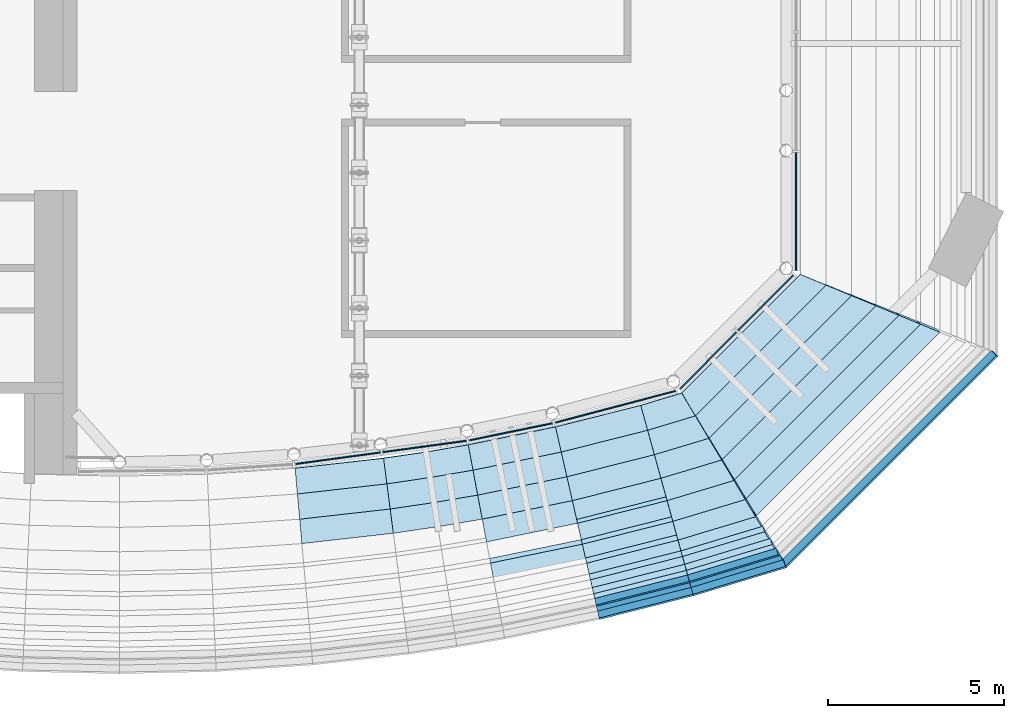
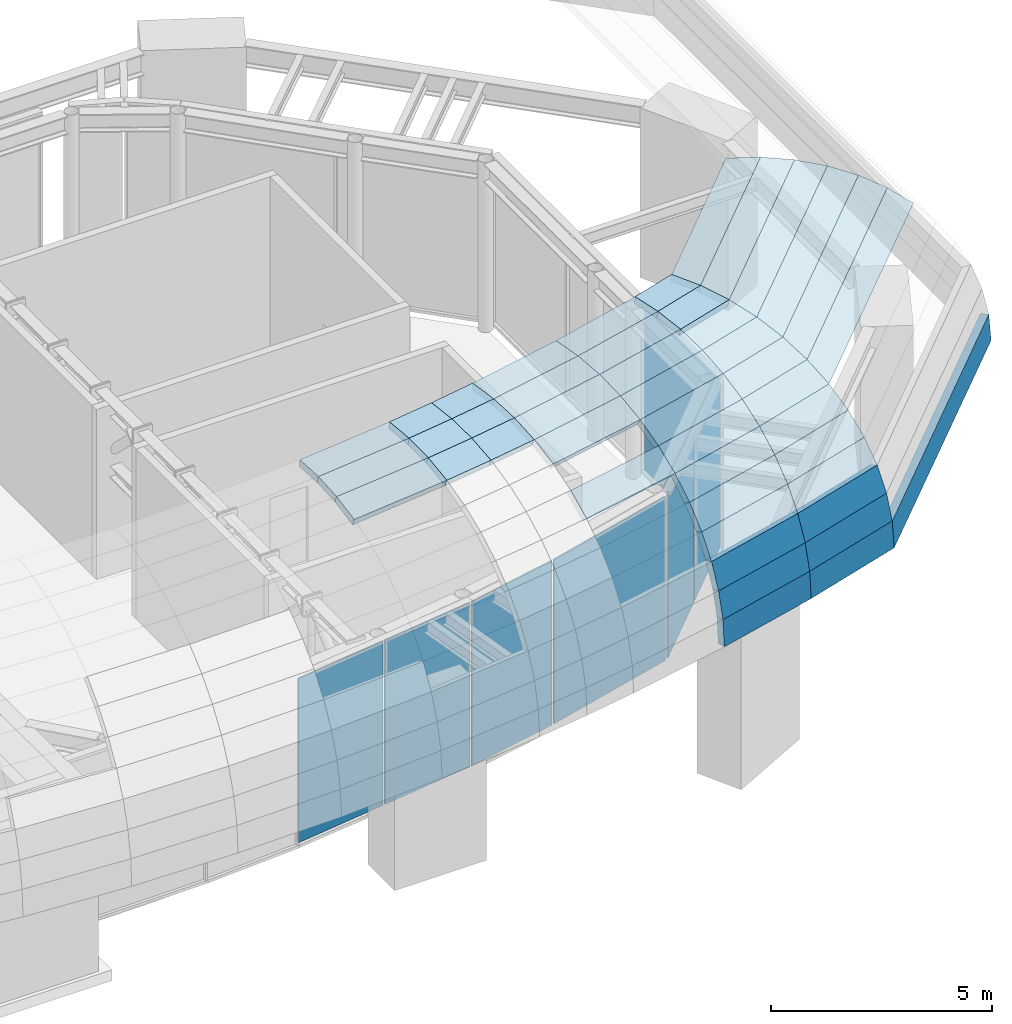
# One storey, part 12 of 20: 52 plates, 5 elements without a shape of their own.
"""IFC4 building model written with IfcOpenShell, lengths in metres."""

from ifc_helpers import new_model, si_unit, direction, frame, origin, origin_2d, place, context, subcontext, project, spatial, polyline, rectangle, outline, extrude, material, layer, layer_set, type_object, element, aggregate, save


model = new_model("IFC4")

# Units and contexts
model_context = context("Model", 3, precision=1e-05, world=origin(), true_north=direction((0.0, 1.0)))
body_context = subcontext(model_context, "Body", "Model", "MODEL_VIEW")
ifc_project = project(units=[si_unit("LENGTHUNIT", "METRE"), si_unit("AREAUNIT", "SQUARE_METRE"), si_unit("VOLUMEUNIT", "CUBIC_METRE"), si_unit("PLANEANGLEUNIT", "RADIAN"), si_unit("MASSUNIT", "GRAM", prefix="KILO")], contexts=[model_context])

# Site, building, storey
site_placement = place(None, origin())
site = spatial("IfcSite", under=ifc_project, at=site_placement, CompositionType="ELEMENT")
building_placement = place(site_placement, origin())
building = spatial("IfcBuilding", under=site, at=building_placement, Name="Brevane Broadcast Tower", CompositionType="ELEMENT")
storey_placement = place(building_placement, frame((0.0, 0.0, 264.199951171875)))
storey = spatial("IfcBuildingStorey", under=building, at=storey_placement, Name="L66", CompositionType="ELEMENT", Elevation=264.199951171875)

# Curtain wall, plates
ifc_material_1 = material(Name="Aluminium 6063-T6 bronze anodised", Category="aluminium")
curtain_wall_type = type_object("IfcCurtainWallType", Name="CW-5 curtain wall", PredefinedType="NOTDEFINED", material=ifc_material_1)
curtain_wall_1_placement = place(storey_placement, origin())
curtain_wall_1 = element("IfcCurtainWall", 1, at=curtain_wall_1_placement, inside=storey, type_object=curtain_wall_type, Name="CW-5 gallery glazing 3", PredefinedType="NOTDEFINED")
ifc_material_2 = material(Name="Laminated glass bronze-tinted", Category="glass")
ifc_layer_1 = layer(ifc_material_2, 0.0400390625)
ifc_layer_set_1 = layer_set([ifc_layer_1], Name="CW tall glass panel 40")
plate_type_1 = type_object("IfcPlateType", Name="CW tall glass panel 40", PredefinedType="CURTAIN_PANEL", material=ifc_layer_set_1)
plate_1_placement = place(storey_placement, frame((32.603515625, 2.21142578125, 0.080078125), z_axis=(0.0, 0.0, 1.0), x_axis=(0.990910913239, 0.134519745853, 0.0)))
plate_1 = element("IfcPlate", 2, at=plate_1_placement, type_object=plate_type_1, Name="Hall glass panel", PredefinedType="CURTAIN_PANEL", context=body_context, shape_type="SweptSolid", body=[
    extrude(rectangle(XDim=2.422607421875, YDim=0.0400390625, at=origin_2d()), origin(), (0.0, 0.0, 1.0), 4.5400390625),
])
plate_2_placement = place(storey_placement, frame((35.0634765625, 2.54541015625, 0.080078125), z_axis=(0.0, 0.0, 1.0), x_axis=(0.990910913239, 0.134519745853, 0.0)))
plate_2 = element("IfcPlate", 3, at=plate_2_placement, type_object=plate_type_1, Name="Hall glass panel", PredefinedType="CURTAIN_PANEL", context=body_context, shape_type="SweptSolid", body=[
    extrude(rectangle(XDim=2.422607421875, YDim=0.0400390625, at=origin_2d()), origin(), (0.0, 0.0, 1.0), 4.5400390625),
])
aggregate(curtain_wall_1, [plate_1, plate_2])

# Curtain wall, plate
curtain_wall_2_placement = place(storey_placement, origin())
curtain_wall_2 = element("IfcCurtainWall", 4, at=curtain_wall_2_placement, inside=storey, type_object=curtain_wall_type, Name="CW-5 gallery glazing 4", PredefinedType="NOTDEFINED")
plate_3_placement = place(storey_placement, frame((37.51611328125, 2.963134765625, 0.080078125), z_axis=(0.0, 0.0, 1.0), x_axis=(0.979588299921, 0.201014334459, 0.0)))
plate_3 = element("IfcPlate", 5, at=plate_3_placement, type_object=plate_type_1, Name="Hall glass panel", PredefinedType="CURTAIN_PANEL", context=body_context, shape_type="SweptSolid", body=[
    extrude(rectangle(XDim=2.423095703125, YDim=0.0400390625, at=origin_2d()), origin(), (0.0, 0.0, 1.0), 4.5400390625),
])
aggregate(curtain_wall_2, [plate_3])

curtain_wall_3_placement = place(storey_placement, origin())
curtain_wall_3 = element("IfcCurtainWall", 6, at=curtain_wall_3_placement, inside=storey, type_object=curtain_wall_type, Name="CW-5 gallery glazing 5", PredefinedType="NOTDEFINED")
plate_4_placement = place(storey_placement, frame((40.4814453125, 3.673828125, 0.080078125), z_axis=(0.0, 0.0, 1.0), x_axis=(0.966932951641, 0.25503071782, 0.0)))
plate_4 = element("IfcPlate", 7, at=plate_4_placement, type_object=plate_type_1, Name="Hall glass panel", PredefinedType="CURTAIN_PANEL", context=body_context, shape_type="SweptSolid", body=[
    extrude(rectangle(XDim=3.546630859375, YDim=0.0400390625, at=origin_2d()), origin(), (0.0, 0.0, 1.0), 4.5400390625),
])
aggregate(curtain_wall_3, [plate_4])

# Curtain wall, plates
curtain_wall_4_placement = place(storey_placement, origin())
curtain_wall_4 = element("IfcCurtainWall", 8, at=curtain_wall_4_placement, inside=storey, type_object=curtain_wall_type, Name="CW-5 gallery glazing 6", PredefinedType="NOTDEFINED")
plate_5_placement = place(storey_placement, frame((43.090576171875, 4.979736328125, 0.080078125), z_axis=(0.0, 0.0, 1.0), x_axis=(0.707106781187, 0.707106781187, 0.0)))
plate_5 = element("IfcPlate", 9, at=plate_5_placement, type_object=plate_type_1, Name="Hall glass panel", PredefinedType="CURTAIN_PANEL", context=body_context, shape_type="SweptSolid", body=[
    extrude(rectangle(XDim=2.259521484375, YDim=0.0400390625, at=origin_2d()), origin(), (0.0, 0.0, 1.0), 4.5400390625),
])
plate_6_placement = place(storey_placement, frame((44.730712890625, 6.619873046875, 0.080078125), z_axis=(0.0, 0.0, 1.0), x_axis=(0.707106781187, 0.707106781187, 0.0)))
plate_6 = element("IfcPlate", 10, at=plate_6_placement, type_object=plate_type_1, Name="Hall glass panel", PredefinedType="CURTAIN_PANEL", context=body_context, shape_type="SweptSolid", body=[
    extrude(rectangle(XDim=2.259521484375, YDim=0.0400390625, at=origin_2d()), origin(), (0.0, 0.0, 1.0), 4.5400390625),
])
aggregate(curtain_wall_4, [plate_5, plate_6])

# Curtain wall, plate
curtain_wall_5_placement = place(storey_placement, origin())
curtain_wall_5 = element("IfcCurtainWall", 11, at=curtain_wall_5_placement, inside=storey, type_object=curtain_wall_type, Name="CW-5 gallery glazing 7", PredefinedType="NOTDEFINED")
plate_7_placement = place(storey_placement, frame((45.580078125, 9.20703125, 0.080078125), z_axis=(0.0, 0.0, 1.0), x_axis=(0.0, 1.0, 0.0)))
plate_7 = element("IfcPlate", 12, at=plate_7_placement, type_object=plate_type_1, Name="Hall glass panel", PredefinedType="CURTAIN_PANEL", context=body_context, shape_type="SweptSolid", body=[
    extrude(rectangle(XDim=3.332763671875, YDim=0.0400390625, at=origin_2d()), origin(), (0.0, 0.0, 1.0), 4.5400390625),
])
aggregate(curtain_wall_5, [plate_7])

# Plates
ifc_material_3 = material(Name="Aluminium bronze anodised", Category="aluminium")
ifc_layer_2 = layer(ifc_material_3, 0.199951171875)
ifc_layer_set_2 = layer_set([ifc_layer_2], Name="Canopy shoulder plate 200")
plate_type_2 = type_object("IfcPlateType", Name="Canopy shoulder plate 200", PredefinedType="SHEET", material=ifc_layer_set_2)
plate_8_placement = place(storey_placement, frame((31.572265625, -0.20947265625, 10.32373046875), z_axis=(0.036075965698, -0.319540786321, 0.946885531929), x_axis=(0.993684957339, 0.112206085013, 6.628256e-06)))
element("IfcPlate", 13, at=plate_8_placement, inside=storey, type_object=plate_type_2, Name="Canopy shoulder", PredefinedType="SHEET", context=body_context, shape_type="SweptSolid", body=[
    extrude(outline(polyline([(0.0, 0.0), (2.608760247304139, 0.0), (2.5971670953137735, 0.7325866561419688), (0.01569144502374965, 0.7326936378956538), (0.0, 0.0)])), origin(), (0.0, 0.0, -1.0), 0.199951171875),
])
plate_9_placement = place(storey_placement, frame((31.510009765625, 0.481689453125, 10.559326171875), z_axis=(0.021878938889, -0.19374912875, 0.980807110059), x_axis=(0.993689417164, 0.11216658209, -8.862577e-06)))
element("IfcPlate", 14, at=plate_9_placement, inside=storey, type_object=plate_type_2, Name="Canopy shoulder", PredefinedType="SHEET", context=body_context, shape_type="SweptSolid", body=[
    extrude(outline(polyline([(0.0, 0.0), (2.5814756524660005, -5.551115123125783e-17), (2.5692215240457954, 0.7326117373810084), (0.015973479479926306, 0.7323783454622896), (0.0, 0.0)])), origin(), (0.0, 0.0, -1.0), 0.199951171875),
])
plate_10_placement = place(storey_placement, frame((31.4453125, 1.197265625, 10.7021484375), z_axis=(0.007330840367, -0.064912801139, 0.997864012292), x_axis=(0.993679174808, 0.112257282824, 2.436474e-06)))
element("IfcPlate", 15, at=plate_10_placement, inside=storey, type_object=plate_type_2, Name="Canopy shoulder", PredefinedType="SHEET", context=body_context, shape_type="SweptSolid", body=[
    extrude(outline(polyline([(0.0, 0.0), (2.553248055331967, -5.551115123125783e-17), (2.5409756404829706, 0.7324156146584232), (0.016495179245747355, 0.7326050011505751), (0.0, 0.0)])), origin(), (0.0, 0.0, -1.0), 0.199951171875),
])
plate_11_placement = place(storey_placement, frame((34.16455078125, 0.083251953125, 10.32373046875), z_axis=(0.046842071947, -0.318184855604, 0.946870750398), x_axis=(0.989332089237, 0.145677785173, 1.0666859e-05)))
element("IfcPlate", 16, at=plate_11_placement, inside=storey, type_object=plate_type_2, Name="Canopy shoulder", PredefinedType="SHEET", context=body_context, shape_type="SweptSolid", body=[
    extrude(outline(polyline([(0.0, 0.0), (1.2753244706278166, 0.0), (1.2676412135489565, 0.7324990029601313), (0.011824889520693199, 0.7325829523304762), (0.0, 0.0)])), origin(), (0.0, 0.0, -1.0), 0.199951171875),
])
plate_12_placement = place(storey_placement, frame((34.0751953125, 0.771240234375, 10.559326171875), z_axis=(0.02838768663, -0.192868158964, 0.980813954074), x_axis=(0.989341807124, 0.145611773823, -1.274911e-06)))
element("IfcPlate", 17, at=plate_12_placement, inside=storey, type_object=plate_type_2, Name="Canopy shoulder", PredefinedType="SHEET", context=body_context, shape_type="SweptSolid", body=[
    extrude(outline(polyline([(0.0, 0.0), (1.255816326915327, 2.7755575615628914e-17), (1.2475684670004772, 0.7326324848983745), (0.01198489630341364, 0.7326161916131826), (0.0, 0.0)])), origin(), (0.0, 0.0, -1.0), 0.199951171875),
])
plate_13_placement = place(storey_placement, frame((33.982421875, 1.48388671875, 10.7021484375), z_axis=(0.009515291269, -0.064634991512, 0.997863606463), x_axis=(0.989339872935, 0.145624914829, -1.394901e-06)))
element("IfcPlate", 18, at=plate_13_placement, inside=storey, type_object=plate_type_2, Name="Canopy shoulder", PredefinedType="SHEET", context=body_context, shape_type="SweptSolid", body=[
    extrude(outline(polyline([(0.0, 0.0), (1.235583570804362, 0.0), (1.2274322522846952, 0.7324670906745185), (0.012322975531005911, 0.7324147657384078), (0.0, 0.0)])), origin(), (0.0, 0.0, -1.0), 0.199951171875),
])
plate_14_placement = place(storey_placement, frame((35.42626953125, 0.26904296875, 10.32373046875), z_axis=(0.054003979434, -0.317044614469, 0.946871840664), x_axis=(0.985807618349, 0.167878942794, -1.3116507e-05)))
element("IfcPlate", 19, at=plate_14_placement, inside=storey, type_object=plate_type_2, Name="Canopy shoulder", PredefinedType="SHEET", context=body_context, shape_type="SweptSolid", body=[
    extrude(outline(polyline([(0.0, 0.0), (1.2754245769839154, -2.7755575615628914e-17), (1.2637815198008224, 0.7325998995178427), (0.007903141084941483, 0.732496663495595), (0.0, 0.0)])), origin(), (0.0, 0.0, -1.0), 0.199951171875),
])
plate_15_placement = place(storey_placement, frame((35.317626953125, 0.9541015625, 10.559326171875), z_axis=(0.032740049558, -0.192180652625, 0.980813277802), x_axis=(0.985793911472, 0.167959412036, 3.678482e-06)))
element("IfcPlate", 20, at=plate_15_placement, inside=storey, type_object=plate_type_2, Name="Canopy shoulder", PredefinedType="SHEET", context=body_context, shape_type="SweptSolid", body=[
    extrude(outline(polyline([(0.0, 0.0), (1.2558783830744404, 2.7755575615628914e-17), (1.2438233628117725, 0.7325880701599414), (0.008013519434042226, 0.7326350855700959), (0.0, 0.0)])), origin(), (0.0, 0.0, -1.0), 0.199951171875),
])
plate_16_placement = place(storey_placement, frame((35.204833984375, 1.663818359375, 10.7021484375), z_axis=(0.010970878896, -0.064400230389, 0.997863843489), x_axis=(0.985800293113, 0.167921952397, -8.85101e-07)))
element("IfcPlate", 21, at=plate_16_placement, inside=storey, type_object=plate_type_2, Name="Canopy shoulder", PredefinedType="SHEET", context=body_context, shape_type="SweptSolid", body=[
    extrude(outline(polyline([(0.0, 0.0), (1.235809844280552, 2.7755575615628914e-17), (1.2236107160153014, 0.7324980525161182), (0.00835075739440926, 0.7324648440488621), (0.0, 0.0)])), origin(), (0.0, 0.0, -1.0), 0.199951171875),
])
plate_17_placement = place(storey_placement, frame((37.018798828125, -1.302734375, 9.10986328125), z_axis=(0.132521492605, -0.645755890149, 0.751955706366), x_axis=(0.979584414913, 0.201033266025, 3.22739e-06)))
element("IfcPlate", 22, at=plate_17_placement, inside=storey, type_object=plate_type_2, Name="Canopy shoulder", PredefinedType="SHEET", context=body_context, shape_type="SweptSolid", body=[
    extrude(outline(polyline([(0.0, 0.0), (2.680207816429226, 1.1102230246251565e-16), (2.667890582134968, 0.7325418055642137), (0.00937281523843357, 0.7325679429935734), (0.0, 0.0)])), origin(), (0.0, 0.0, -1.0), 0.199951171875),
])
plate_18_placement = place(storey_placement, frame((36.8046875, -0.16259765625, 9.999755859375), z_axis=(0.08889734162, -0.433263856311, 0.896872172312), x_axis=(0.979595080304, 0.200981289197, -6.099085e-06)))
element("IfcPlate", 23, at=plate_18_placement, inside=storey, type_object=plate_type_2, Name="Canopy shoulder", PredefinedType="SHEET", context=body_context, shape_type="SweptSolid", body=[
    extrude(outline(polyline([(0.0, 0.0), (2.634816309873201, -1.1102230246251565e-16), (2.6200725992251845, 0.7325300218688), (0.011159242336538654, 0.7324577119280852), (0.0, 0.0)])), origin(), (0.0, 0.0, -1.0), 0.199951171875),
])
plate_19_placement = place(storey_placement, frame((36.68359375, 0.483154296875, 10.32373046875), z_axis=(0.064640269427, -0.315047566365, 0.94687204336), x_axis=(0.979589883751, 0.201006615853, 6.010458e-06)))
element("IfcPlate", 24, at=plate_19_placement, inside=storey, type_object=plate_type_2, Name="Canopy shoulder", PredefinedType="SHEET", context=body_context, shape_type="SweptSolid", body=[
    extrude(outline(polyline([(0.0, 0.0), (2.6089133578997035, 0.0), (2.5932234506014824, 0.7325012528031025), (0.011746137471609361, 0.7325982540564211), (0.0, 0.0)])), origin(), (0.0, 0.0, -1.0), 0.199951171875),
])
plate_20_placement = place(storey_placement, frame((36.5556640625, 1.1650390625, 10.559326171875), z_axis=(0.039180709895, -0.19097236006, 0.980813147172), x_axis=(0.979597384563, 0.200970057856, -1.625884e-06)))
element("IfcPlate", 25, at=plate_20_placement, inside=storey, type_object=plate_type_2, Name="Canopy shoulder", PredefinedType="SHEET", context=body_context, shape_type="SweptSolid", body=[
    extrude(outline(polyline([(0.0, 0.0), (2.581477315001899, 5.551115123125783e-17), (2.5654048615430094, 0.7326304653399526), (0.012081066020189728, 0.7325876411064338), (0.0, 0.0)])), origin(), (0.0, 0.0, -1.0), 0.199951171875),
])
plate_21_placement = place(storey_placement, frame((36.423095703125, 1.871337890625, 10.7021484375), z_axis=(0.013129636044, -0.063995981999, 0.997863781759), x_axis=(0.979594020851, 0.200986453058, 6.13779e-07)))
element("IfcPlate", 26, at=plate_21_placement, inside=storey, type_object=plate_type_2, Name="Canopy shoulder", PredefinedType="SHEET", context=body_context, shape_type="SweptSolid", body=[
    extrude(outline(polyline([(0.0, 0.0), (2.5533237958850457, 1.1102230246251565e-16), (2.536798105173895, 0.7324470685858776), (0.012394373080864322, 0.7324947748516744), (0.0, 0.0)])), origin(), (0.0, 0.0, -1.0), 0.199951171875),
])
plate_22_placement = place(storey_placement, frame((40.01025390625, -2.36328125, 5.150146484375), z_axis=(0.244340621319, -0.967462783505, 0.065676657242), x_axis=(0.969556108645, 0.244869255295, -7.71477e-07)))
element("IfcPlate", 27, at=plate_22_placement, inside=storey, type_object=plate_type_2, Name="Canopy shoulder", PredefinedType="SHEET", context=body_context, shape_type="SweptSolid", body=[
    extrude(outline(polyline([(0.0, 0.0), (2.7449355957435038, 0.0), (2.7437481872827543, 0.7325407344843516), (0.0010625289143463897, 0.7325364917488764), (0.0, 0.0)])), origin(), (0.0, 0.0, -1.0), 0.199951171875),
])
plate_23_placement = place(storey_placement, frame((39.99951171875, -2.31640625, 5.881103515625), z_axis=(0.240157004458, -0.950925587443, 0.195102896843), x_axis=(0.96955761937, 0.244863273499, 3.581073e-06)))
element("IfcPlate", 28, at=plate_23_placement, inside=storey, type_object=plate_type_2, Name="Canopy shoulder", PredefinedType="SHEET", context=body_context, shape_type="SweptSolid", body=[
    extrude(outline(polyline([(0.0, 0.0), (2.7426856580992176, 0.0), (2.7394782443174477, 0.7323251629597358), (0.00336547220898045, 0.7323451673686202), (0.0, 0.0)])), origin(), (0.0, 0.0, -1.0), 0.199951171875),
])
plate_24_placement = place(storey_placement, frame((39.9677734375, -2.177001953125, 6.599365234375), z_axis=(0.231863194385, -0.918098676417, 0.321456496981), x_axis=(0.969559021082, 0.244857723213, -4.666824e-06)))
element("IfcPlate", 29, at=plate_24_placement, inside=storey, type_object=plate_type_2, Name="Canopy shoulder", PredefinedType="SHEET", context=body_context, shape_type="SweptSolid", body=[
    extrude(outline(polyline([(0.0, 0.0), (2.7361127723563707, -2.7755575615628914e-17), (2.73087052521835, 0.7324938488502521), (0.0050606085984259514, 0.7324669302980827), (0.0, 0.0)])), origin(), (0.0, 0.0, -1.0), 0.199951171875),
])
plate_25_placement = place(storey_placement, frame((39.9150390625, -1.947509765625, 7.29296875), z_axis=(0.219612141202, -0.869588364722, 0.442251719474), x_axis=(0.96955787755, 0.244862251162, 6.066821e-06)))
element("IfcPlate", 30, at=plate_25_placement, inside=storey, type_object=plate_type_2, Name="Canopy shoulder", PredefinedType="SHEET", context=body_context, shape_type="SweptSolid", body=[
    extrude(outline(polyline([(0.0, 0.0), (2.725809916785791, 0.0), (2.71847877821127, 0.7324925208085185), (0.007294664810568008, 0.7325292981550923), (0.0, 0.0)])), origin(), (0.0, 0.0, -1.0), 0.199951171875),
])
plate_26_placement = place(storey_placement, frame((39.8427734375, -1.631591796875, 7.949951171875), z_axis=(0.203615620717, -0.806235209631, 0.555450687056), x_axis=(0.969559151075, 0.244857208365, -8.795833e-06)))
element("IfcPlate", 31, at=plate_26_placement, inside=storey, type_object=plate_type_2, Name="Canopy shoulder", PredefinedType="SHEET", context=body_context, shape_type="SweptSolid", body=[
    extrude(outline(polyline([(0.0, 0.0), (2.7111841135680743, 0.0), (2.7021458628749664, 0.7325536762395657), (0.009317522690458196, 0.7324965145255969), (0.0, 0.0)])), origin(), (0.0, 0.0, -1.0), 0.199951171875),
])
plate_27_placement = place(storey_placement, frame((39.752197265625, -1.23486328125, 8.55908203125), z_axis=(0.184106273696, -0.728965026443, 0.659329106144), x_axis=(0.96955472085, 0.244874750106, 6.099968e-06)))
element("IfcPlate", 32, at=plate_27_placement, inside=storey, type_object=plate_type_2, Name="Canopy shoulder", PredefinedType="SHEET", context=body_context, shape_type="SweptSolid", body=[
    extrude(outline(polyline([(0.0, 0.0), (2.6928283410182083, -5.551115123125783e-17), (2.681857886275091, 0.7325418943381009), (0.01070165231144061, 0.7325854135800487), (0.0, 0.0)])), origin(), (0.0, 0.0, -1.0), 0.199951171875),
])
plate_28_placement = place(storey_placement, frame((39.644287109375, -0.763916015625, 9.10986328125), z_axis=(0.161414586216, -0.639181179769, 0.75192602747), x_axis=(0.969560255236, 0.244852836284, 5.528942e-06)))
element("IfcPlate", 33, at=plate_28_placement, inside=storey, type_object=plate_type_2, Name="Canopy shoulder", PredefinedType="SHEET", context=body_context, shape_type="SweptSolid", body=[
    extrude(outline(polyline([(0.0, 0.0), (2.6711562343621353, 5.551115123125783e-17), (2.6589150580361642, 0.7324949502992362), (0.012450773361581999, 0.7325395478396998), (0.0, 0.0)])), origin(), (0.0, 0.0, -1.0), 0.199951171875),
])
plate_29_placement = place(storey_placement, frame((39.521484375, -0.226806640625, 9.5927734375), z_axis=(0.136055704159, -0.53870948191, 0.831433063732), x_axis=(0.969561913989, 0.244846267444, -1.6144476e-05)))
element("IfcPlate", 34, at=plate_29_placement, inside=storey, type_object=plate_type_2, Name="Canopy shoulder", PredefinedType="SHEET", context=body_context, shape_type="SweptSolid", body=[
    extrude(outline(polyline([(0.0, 0.0), (2.646464284624322, 0.0), (2.6325727137371318, 0.7325533882576478), (0.01376044565572587, 0.7324003981273789), (0.0, 0.0)])), origin(), (0.0, 0.0, -1.0), 0.199951171875),
])
plate_30_placement = place(storey_placement, frame((39.3857421875, 0.366943359375, 9.999755859375), z_axis=(0.10831185758, -0.428831192634, 0.896868078221), x_axis=(0.969548321854, 0.24490008478, 8.045419e-06)))
element("IfcPlate", 35, at=plate_30_placement, inside=storey, type_object=plate_type_2, Name="Canopy shoulder", PredefinedType="SHEET", context=body_context, shape_type="SweptSolid", body=[
    extrude(outline(polyline([(0.0, 0.0), (2.6188122729490386, -1.1102230246251565e-16), (2.6041919969289453, 0.7324327725168301), (0.014868043364751195, 0.732527508697416), (0.0, 0.0)])), origin(), (0.0, 0.0, -1.0), 0.199951171875),
])
plate_31_placement = place(storey_placement, frame((39.2392578125, 1.007568359375, 10.32373046875), z_axis=(0.078756512052, -0.311822703732, 0.946870642298), x_axis=(0.969556971415, 0.244865839106, -4.432816e-06)))
element("IfcPlate", 36, at=plate_31_placement, inside=storey, type_object=plate_type_2, Name="Canopy shoulder", PredefinedType="SHEET", context=body_context, shape_type="SweptSolid", body=[
    extrude(outline(polyline([(0.0, 0.0), (2.5893239553754555, 0.0), (2.5736401348947426, 0.7325757935851241), (0.015521234565121049, 0.7325048463689682), (0.0, 0.0)])), origin(), (0.0, 0.0, -1.0), 0.199951171875),
])
plate_32_placement = place(storey_placement, frame((39.08447265625, 1.683837890625, 10.559326171875), z_axis=(0.047740014105, -0.189031356104, 0.980809888543), x_axis=(0.969550457586, 0.24489162942, 5.958634e-06)))
element("IfcPlate", 37, at=plate_32_placement, inside=storey, type_object=plate_type_2, Name="Canopy shoulder", PredefinedType="SHEET", context=body_context, shape_type="SweptSolid", body=[
    extrude(outline(polyline([(0.0, 0.0), (2.5581189012949643, -1.1102230246251565e-16), (2.5421602781795576, 0.732469774392961), (0.016312832534451805, 0.7326251522954367), (0.0, 0.0)])), origin(), (0.0, 0.0, -1.0), 0.199951171875),
])
plate_33_placement = place(storey_placement, frame((38.92431640625, 2.384521484375, 10.7021484375), z_axis=(0.015995087861, -0.063341564905, 0.997863719813), x_axis=(0.969565521065, 0.244831983945, -2.45219e-07)))
element("IfcPlate", 38, at=plate_33_placement, inside=storey, type_object=plate_type_2, Name="Canopy shoulder", PredefinedType="SHEET", context=body_context, shape_type="SweptSolid", body=[
    extrude(outline(polyline([(0.0, 0.0), (2.525847450471889, 1.1102230246251565e-16), (2.5092220125500457, 0.7324697124059921), (0.016356138916453704, 0.7324508744314208), (0.0, 0.0)])), origin(), (0.0, 0.0, -1.0), 0.199951171875),
])
plate_34_placement = place(storey_placement, frame((42.671630859375, -1.691162109375, 5.150146484375), z_axis=(0.287576130055, -0.955517842182, 0.065464667524), x_axis=(0.957571854503, 0.288194627714, 4.592322e-06)))
element("IfcPlate", 39, at=plate_34_placement, inside=storey, type_object=plate_type_2, Name="Canopy shoulder", PredefinedType="SHEET", context=body_context, shape_type="SweptSolid", body=[
    extrude(outline(polyline([(0.0, 0.0), (2.7449358823234657, 6.938893903907228e-18), (2.732798174105436, 0.7325158098952519), (0.000981303806085792, 0.7325410149761686), (0.0, 0.0)])), origin(), (0.0, 0.0, -1.0), 0.199951171875),
])
plate_35_placement = place(storey_placement, frame((42.65869140625, -1.644775390625, 5.881103515625), z_axis=(0.282604198048, -0.939188834375, 0.195087674216), x_axis=(0.957588276255, 0.288140058254, -2.775281e-06)))
element("IfcPlate", 40, at=plate_35_placement, inside=storey, type_object=plate_type_2, Name="Canopy shoulder", PredefinedType="SHEET", context=body_context, shape_type="SweptSolid", body=[
    extrude(outline(polyline([(0.0, 0.0), (2.731816876925512, -2.7755575615628914e-17), (2.695780748912732, 0.7323405325781835), (0.0032028947467429287, 0.7323251834372433), (0.0, 0.0)])), origin(), (0.0, 0.0, -1.0), 0.199951171875),
])
plate_36_placement = place(storey_placement, frame((42.62060546875, -1.507080078125, 6.599365234375), z_axis=(0.272859340271, -0.906735919128, 0.321524110122), x_axis=(0.95758237408, 0.288159672488, -1.770809e-06)))
element("IfcPlate", 41, at=plate_36_placement, inside=storey, type_object=plate_type_2, Name="Canopy shoulder", PredefinedType="SHEET", context=body_context, shape_type="SweptSolid", body=[
    extrude(outline(polyline([(0.0, 0.0), (2.6925778544493535, -2.7755575615628914e-17), (2.6334265650588042, 0.7325030722433655), (0.005342967384670377, 0.7324931220263964), (0.0, 0.0)])), origin(), (0.0, 0.0, -1.0), 0.199951171875),
])
plate_37_placement = place(storey_placement, frame((42.557861328125, -1.280029296875, 7.29296875), z_axis=(0.258453931706, -0.85888576616, 0.442172823536), x_axis=(0.957583377273, 0.288156338723, 4.950477e-06)))
element("IfcPlate", 42, at=plate_37_placement, inside=storey, type_object=plate_type_2, Name="Canopy shoulder", PredefinedType="SHEET", context=body_context, shape_type="SweptSolid", body=[
    extrude(outline(polyline([(0.0, 0.0), (2.6280835975701, -1.1102230246251565e-16), (2.5465614619619106, 0.7324650858158472), (0.0072218660658494105, 0.7324936066725896), (0.0, 0.0)])), origin(), (0.0, 0.0, -1.0), 0.199951171875),
])
plate_38_placement = place(storey_placement, frame((42.471435546875, -0.9677734375, 7.949951171875), z_axis=(0.239608128744, -0.796187201807, 0.555584272923), x_axis=(0.957580341434, 0.288166426567, -1.7302344e-05)))
element("IfcPlate", 43, at=plate_38_placement, inside=storey, type_object=plate_type_2, Name="Canopy shoulder", PredefinedType="SHEET", context=body_context, shape_type="SweptSolid", body=[
    extrude(outline(polyline([(0.0, 0.0), (2.53933959499529, -1.1102230246251565e-16), (2.4369725576713677, 0.7326544339161418), (0.00924673011460973, 0.7325510713385169), (0.0, 0.0)])), origin(), (0.0, 0.0, -1.0), 0.199951171875),
])
plate_39_placement = place(storey_placement, frame((42.363037109375, -0.575439453125, 8.55908203125), z_axis=(0.216703824183, -0.719949487623, 0.659327071988), x_axis=(0.957564006652, 0.288220702131, -5.210343e-06)))
element("IfcPlate", 44, at=plate_39_placement, inside=storey, type_object=plate_type_2, Name="Canopy shoulder", PredefinedType="SHEET", context=body_context, shape_type="SweptSolid", body=[
    extrude(outline(polyline([(0.0, 0.0), (2.4277258309693477, 0.0), (2.306166548726435, 0.7325778964824557), (0.010749836161621132, 0.732545165237498), (0.0, 0.0)])), origin(), (0.0, 0.0, -1.0), 0.199951171875),
])
plate_40_placement = place(storey_placement, frame((42.234130859375, -0.10986328125, 9.10986328125), z_axis=(0.190020928342, -0.631336467318, 0.751868546906), x_axis=(0.957562788359, 0.288224749422, 1.3067583e-05)))
element("IfcPlate", 45, at=plate_40_placement, inside=storey, type_object=plate_type_2, Name="Canopy shoulder", PredefinedType="SHEET", context=body_context, shape_type="SweptSolid", body=[
    extrude(outline(polyline([(0.0, 0.0), (2.2954167125316647, 0.0), (2.1567430011609647, 0.7324016691754409), (0.012553574675058502, 0.7324896621583069), (0.0, 0.0)])), origin(), (0.0, 0.0, -1.0), 0.199951171875),
])
plate_41_placement = place(storey_placement, frame((42.08740234375, 0.421142578125, 9.5927734375), z_axis=(0.160102170521, -0.532006513595, 0.831466394082), x_axis=(0.95757611393, 0.288180474718, 4.660876e-06)))
element("IfcPlate", 46, at=plate_41_placement, inside=storey, type_object=plate_type_2, Name="Canopy shoulder", PredefinedType="SHEET", context=body_context, shape_type="SweptSolid", body=[
    extrude(outline(polyline([(0.0, 0.0), (2.1441894286288803, 0.0), (1.9909447478356943, 0.7325259526748916), (0.013509794800019796, 0.7325605301476497), (0.0, 0.0)])), origin(), (0.0, 0.0, -1.0), 0.199951171875),
])
plate_42_placement = place(storey_placement, frame((41.9248046875, 1.00830078125, 9.999755859375), z_axis=(0.12746871335, -0.423513083741, 0.896877023352), x_axis=(0.957578636196, 0.28817209295, -1.8581092e-05)))
element("IfcPlate", 47, at=plate_42_placement, inside=storey, type_object=plate_type_2, Name="Canopy shoulder", PredefinedType="SHEET", context=body_context, shape_type="SweptSolid", body=[
    extrude(outline(polyline([(0.0, 0.0), (1.977434952950141, 0.0), (1.8121051898534803, 0.7325863143291497), (0.014870573694399251, 0.7324277327075588), (0.0, 0.0)])), origin(), (0.0, 0.0, -1.0), 0.199951171875),
])
plate_43_placement = place(storey_placement, frame((41.749755859375, 1.6416015625, 10.32373046875), z_axis=(0.092700234607, -0.307970523133, 0.946868957874), x_axis=(0.957553797326, 0.288254618604, 8.938962e-06)))
element("IfcPlate", 48, at=plate_43_placement, inside=storey, type_object=plate_type_2, Name="Canopy shoulder", PredefinedType="SHEET", context=body_context, shape_type="SweptSolid", body=[
    extrude(outline(polyline([(0.0, 0.0), (1.7972346235422574, 5.551115123125783e-17), (1.6225568467088598, 0.7324839294965622), (0.015554748066783097, 0.7325785454430076), (0.0, 0.0)])), origin(), (0.0, 0.0, -1.0), 0.199951171875),
])
plate_44_placement = place(storey_placement, frame((41.564697265625, 2.310302734375, 10.559326171875), z_axis=(0.056198922868, -0.186693389751, 0.980809491844), x_axis=(0.957570294219, 0.288199811828, -9.603608e-06)))
element("IfcPlate", 49, at=plate_44_placement, inside=storey, type_object=plate_type_2, Name="Canopy shoulder", PredefinedType="SHEET", context=body_context, shape_type="SweptSolid", body=[
    extrude(outline(polyline([(0.0, 0.0), (1.6070021014399767, -1.1102230246251565e-16), (1.426293591577203, 0.7326102264013657), (0.01632864682061164, 0.7324616190203824), (0.0, 0.0)])), origin(), (0.0, 0.0, -1.0), 0.199951171875),
])
plate_45_placement = place(storey_placement, frame((41.373291015625, 3.0029296875, 10.7021484375), z_axis=(0.018832716664, -0.062562613555, 0.997863341429), x_axis=(0.957539940309, 0.288300646373, 3.771595e-06)))
element("IfcPlate", 50, at=plate_45_placement, inside=storey, type_object=plate_type_2, Name="Canopy shoulder", PredefinedType="SHEET", context=body_context, shape_type="SweptSolid", body=[
    extrude(outline(polyline([(0.0, 0.0), (1.4099649526657747, -1.1102230246251565e-16), (1.2261187334333248, 0.7323247259264862), (0.01634814266521889, 0.7324759538589593), (0.0, 0.0)])), origin(), (0.0, 0.0, -1.0), 0.199951171875),
])
plate_46_placement = place(storey_placement, frame((45.300048828125, -0.89990234375, 5.150146484375), z_axis=(0.705598474501, -0.705598474501, 0.065280820787), x_axis=(0.707106781187, 0.707106781187, 0.0)))
element("IfcPlate", 51, at=plate_46_placement, inside=storey, type_object=plate_type_2, Name="Canopy shoulder", PredefinedType="SHEET", context=body_context, shape_type="SweptSolid", body=[
    extrude(outline(polyline([(0.0, 0.0), (8.485281374238571, 0.0), (8.465428522716, 0.7325195450827909), (0.011911710913542914, 0.7325195450827909), (0.0, 0.0)])), origin(), (0.0, 0.0, -1.0), 0.199951171875),
])
plate_47_placement = place(storey_placement, frame((44.43212890625, 0.5517578125, 9.10986328125), z_axis=(0.466158609882, -0.466169771882, 0.751918808261), x_axis=(0.707119795689, 0.707093766422, -5.640484e-06)))
element("IfcPlate", 52, at=plate_47_placement, inside=storey, type_object=plate_type_2, Name="Canopy shoulder", PredefinedType="SHEET", context=body_context, shape_type="SweptSolid", body=[
    extrude(outline(polyline([(0.0, 0.0), (7.3930292753216955, 0.0), (7.164967570159299, 0.7325694031984324), (0.13843920040291663, 0.7324460318303601), (0.0, 0.0)])), origin(), (0.0, 0.0, -1.0), 0.199951171875),
])
plate_48_placement = place(storey_placement, frame((44.140625, 1.0390625, 9.5927734375), z_axis=(0.392865886395, -0.392865886395, 0.831452217878), x_axis=(0.707106781187, 0.707106781187, 0.0)))
element("IfcPlate", 53, at=plate_48_placement, inside=storey, type_object=plate_type_2, Name="Canopy shoulder", PredefinedType="SHEET", context=body_context, shape_type="SweptSolid", body=[
    extrude(outline(polyline([(0.0, 0.0), (7.0265283710583155, 0.0), (6.774138206484405, 0.7325146832475429), (0.1532985404525523, 0.7325146832475431), (0.0, 0.0)])), origin(), (0.0, 0.0, -1.0), 0.199951171875),
])
plate_49_placement = place(storey_placement, frame((43.818359375, 1.578125, 9.999755859375), z_axis=(0.312711810144, -0.312711810144, 0.896896118619), x_axis=(0.707106781187, 0.707106781187, 0.0)))
element("IfcPlate", 54, at=plate_49_placement, inside=storey, type_object=plate_type_2, Name="Canopy shoulder", PredefinedType="SHEET", context=body_context, shape_type="SweptSolid", body=[
    extrude(outline(polyline([(0.0, 0.0), (6.620839666031854, 0.0), (6.348769283426874, 0.7325743249544642), (0.16538288485759586, 0.7325743249544643), (0.0, 0.0)])), origin(), (0.0, 0.0, -1.0), 0.199951171875),
])
plate_50_placement = place(storey_placement, frame((43.470703125, 2.15966796875, 10.32373046875), z_axis=(0.227409894345, -0.227409894345, 0.946873528993), x_axis=(0.707106781187, 0.707106781187, 0.0)))
element("IfcPlate", 55, at=plate_50_placement, inside=storey, type_object=plate_type_2, Name="Canopy shoulder", PredefinedType="SHEET", context=body_context, shape_type="SweptSolid", body=[
    extrude(outline(polyline([(0.0, 0.0), (6.183386398569278, 0.0), (5.896124268712242, 0.7325596794189333), (0.17435982641562814, 0.732559679418933), (0.0, 0.0)])), origin(), (0.0, 0.0, -1.0), 0.199951171875),
])
plate_51_placement = place(storey_placement, frame((43.103515625, 2.7734375, 10.559326171875), z_axis=(0.137860190378, -0.137860190378, 0.980810448465), x_axis=(0.707106781187, 0.707106781187, 0.0)))
element("IfcPlate", 56, at=plate_51_placement, inside=storey, type_object=plate_type_2, Name="Canopy shoulder", PredefinedType="SHEET", context=body_context, shape_type="SweptSolid", body=[
    extrude(outline(polyline([(0.0, 0.0), (5.721764442296615, 0.0), (5.424144302949543, 0.7325580521191336), (0.18091989909265183, 0.7325580521191334), (0.0, 0.0)])), origin(), (0.0, 0.0, -1.0), 0.199951171875),
])
plate_52_placement = place(storey_placement, frame((42.723388671875, 3.409423828125, 10.7021484375), z_axis=(0.046199204662, -0.046197609551, 0.997863424703), x_axis=(0.707106729078, 0.707106833294, -1.125504e-06)))
element("IfcPlate", 57, at=plate_52_placement, inside=storey, type_object=plate_type_2, Name="Canopy shoulder", PredefinedType="SHEET", context=body_context, shape_type="SweptSolid", body=[
    extrude(outline(polyline([(0.0, 0.0), (5.243224403853555, -4.440892098500626e-16), (4.940425259767942, 0.7324948693883054), (0.18385466844160897, 0.7323226047412585), (0.0, 0.0)])), origin(), (0.0, 0.0, -1.0), 0.199951171875),
])

save(model, "model.ifc")
